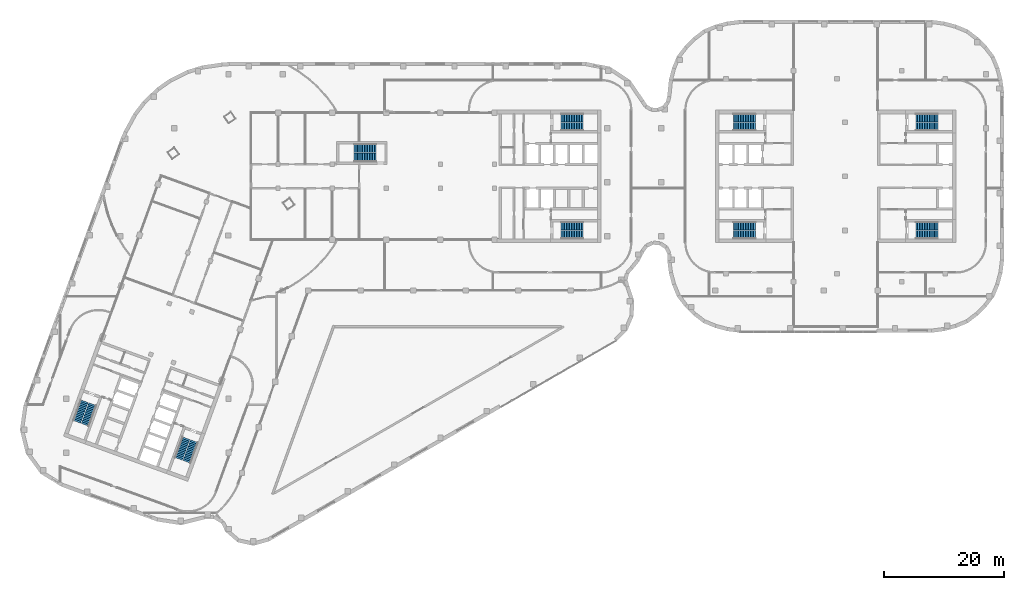
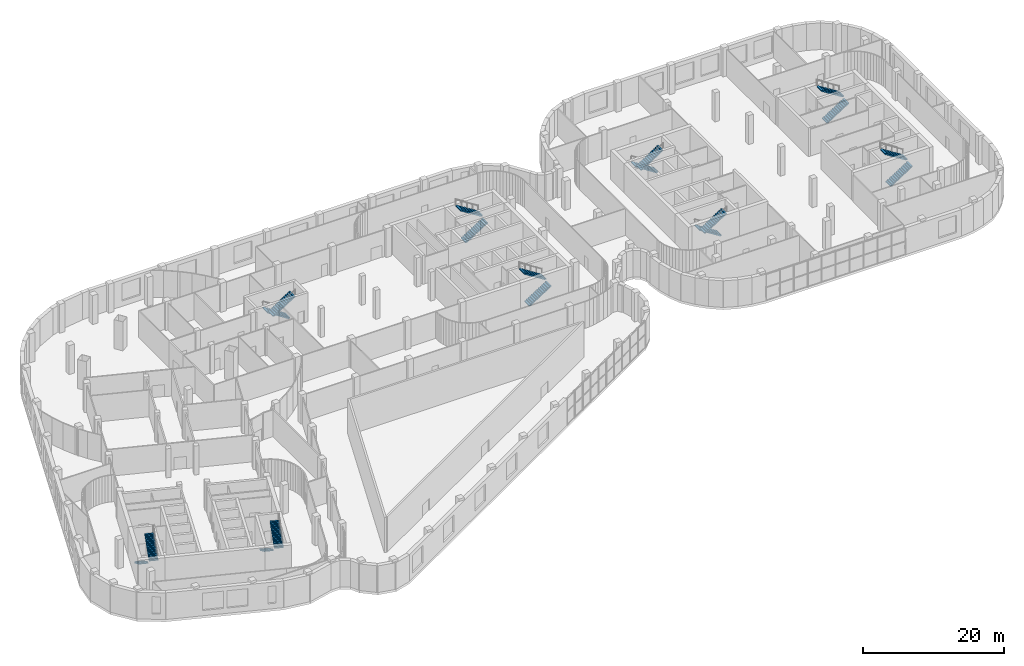
# One storey, part 22 of 24: 18 stair flights, 9 elements without a shape of their own.
"""IFC4 building model written with IfcOpenShell, lengths in metres."""

from ifc_helpers import new_model, si_unit, direction, frame, origin, place, context, subcontext, project, spatial, polyline, outline, extrude, material, type_object, element, aggregate, save


model = new_model("IFC4")

# Units and contexts
model_context = context("Model", 3, precision=1e-05, world=origin(), true_north=direction((0.0, 1.0)))
body_context = subcontext(model_context, "Body", "Model", "MODEL_VIEW")
ifc_project = project(units=[si_unit("LENGTHUNIT", "METRE"), si_unit("AREAUNIT", "SQUARE_METRE"), si_unit("VOLUMEUNIT", "CUBIC_METRE"), si_unit("PLANEANGLEUNIT", "RADIAN"), si_unit("MASSUNIT", "GRAM", prefix="KILO")], contexts=[model_context])

# Site, building, storey
site_placement = place(None, origin())
site = spatial("IfcSite", under=ifc_project, at=site_placement, CompositionType="ELEMENT")
building_placement = place(site_placement, origin())
building = spatial("IfcBuilding", under=site, at=building_placement, Name="Skarvind Civic Tower", CompositionType="ELEMENT")
storey_placement = place(building_placement, frame((0.0, 0.0, 12.5)))
storey = spatial("IfcBuildingStorey", under=building, at=storey_placement, Name="L02", CompositionType="ELEMENT", Elevation=12.5)

# Stair, stair flights
ifc_material = material(Name="Concrete C40/50", Category="concrete")
stair_type_1 = type_object("IfcStairType", Name="Exit stair 1450, half-turn, concrete", PredefinedType="HALF_TURN_STAIR", material=ifc_material)
stair_1_placement = place(storey_placement, origin())
stair_1 = element("IfcStair", 1, at=stair_1_placement, inside=storey, type_object=stair_type_1, Name="Exit stair CM", PredefinedType="HALF_TURN_STAIR")
stair_flight_type_1 = type_object("IfcStairFlightType", Name="Stair flight 1450, concrete", PredefinedType="STRAIGHT", material=ifc_material)
stair_flight_1_placement = place(storey_placement, frame((70.550048828125, 132.675048828125, 0.0), z_axis=(0.0, 0.0, 1.0), x_axis=(-1.0, 0.0, 0.0)))
stair_flight_1 = element("IfcStairFlight", 2, at=stair_flight_1_placement, type_object=stair_flight_type_1, Name="ST-CM flight 1", NumberOfRisers=14, NumberOfTreads=13, PredefinedType="STRAIGHT", RiserHeight=0.178571429, TreadLength=0.28, context=body_context, shape_type="SweptSolid", body=[
    extrude(outline(polyline([(0.0, 0.0), (0.0, 0.178466796875), (0.280029296875, 0.178466796875), (0.280029296875, 0.357177734375), (0.56005859375, 0.357177734375), (0.56005859375, 0.53564453125), (0.840087890625, 0.53564453125), (0.840087890625, 0.71435546875), (1.1201171875, 0.71435546875), (1.1201171875, 0.892822265625), (1.39990234375, 0.892822265625), (1.39990234375, 1.071533203125), (1.679931640625, 1.071533203125), (1.679931640625, 1.25), (1.9599609375, 1.25), (1.9599609375, 1.428466796875), (2.239990234375, 1.428466796875), (2.239990234375, 1.607177734375), (2.52001953125, 1.607177734375), (2.52001953125, 1.78564453125), (2.800048828125, 1.78564453125), (2.800048828125, 1.96435546875), (3.080078125, 1.96435546875), (3.080078125, 2.142822265625), (3.360107421875, 2.142822265625), (3.360107421875, 2.321533203125), (3.639892578125, 2.321533203125), (3.639892578125, 2.5), (3.639892578125, 2.1435546875), (0.27880859375, 0.0), (0.0, 0.0)])), frame((0.0, 0.72509765625, 0.0), z_axis=(0.0, -1.0, 0.0), x_axis=(1.0, 0.0, 0.0)), (0.0, 0.0, 1.0), 1.449951171875),
])
stair_flight_2_placement = place(storey_placement, frame((66.909912109375, 131.125, 2.5), z_axis=(0.0, 0.0, 1.0), x_axis=(1.0, 0.0, 0.0)))
stair_flight_2 = element("IfcStairFlight", 3, at=stair_flight_2_placement, type_object=stair_flight_type_1, Name="ST-CM flight 2", NumberOfRisers=14, NumberOfTreads=13, PredefinedType="STRAIGHT", RiserHeight=0.178571429, TreadLength=0.28, context=body_context, shape_type="SweptSolid", body=[
    extrude(outline(polyline([(0.0, 0.0), (0.0, 0.178466796875), (0.280029296875, 0.178466796875), (0.280029296875, 0.357177734375), (0.56005859375, 0.357177734375), (0.56005859375, 0.53564453125), (0.840087890625, 0.53564453125), (0.840087890625, 0.71435546875), (1.1201171875, 0.71435546875), (1.1201171875, 0.892822265625), (1.39990234375, 0.892822265625), (1.39990234375, 1.071533203125), (1.679931640625, 1.071533203125), (1.679931640625, 1.25), (1.9599609375, 1.25), (1.9599609375, 1.428466796875), (2.239990234375, 1.428466796875), (2.239990234375, 1.607177734375), (2.52001953125, 1.607177734375), (2.52001953125, 1.78564453125), (2.800048828125, 1.78564453125), (2.800048828125, 1.96435546875), (3.080078125, 1.96435546875), (3.080078125, 2.142822265625), (3.360107421875, 2.142822265625), (3.360107421875, 2.321533203125), (3.639892578125, 2.321533203125), (3.639892578125, 2.5), (3.639892578125, 2.1435546875), (0.27880859375, 0.0), (0.0, 0.0)])), frame((0.0, 0.72509765625, 0.0), z_axis=(0.0, -1.0, 0.0), x_axis=(1.0, 0.0, 0.0)), (0.0, 0.0, 1.0), 1.449951171875),
])
aggregate(stair_1, [stair_flight_1, stair_flight_2])

stair_type_2 = type_object("IfcStairType", Name="Exit stair, half-turn, concrete", PredefinedType="HALF_TURN_STAIR", material=ifc_material)
stair_2_placement = place(storey_placement, origin())
stair_2 = element("IfcStair", 4, at=stair_2_placement, inside=storey, type_object=stair_type_2, Name="Exit stair C1S", PredefinedType="HALF_TURN_STAIR")
stair_flight_type_2 = type_object("IfcStairFlightType", Name="Stair flight, concrete", PredefinedType="STRAIGHT", material=ifc_material)
stair_flight_3_placement = place(storey_placement, frame((101.35009765625, 136.27490234375, 0.0), z_axis=(0.0, 0.0, 1.0), x_axis=(1.0, 0.0, 0.0)))
stair_flight_3 = element("IfcStairFlight", 5, at=stair_flight_3_placement, type_object=stair_flight_type_2, Name="ST-C1S flight 1", NumberOfRisers=14, NumberOfTreads=13, PredefinedType="STRAIGHT", RiserHeight=0.178571429, TreadLength=0.28, context=body_context, shape_type="SweptSolid", body=[
    extrude(outline(polyline([(0.0, 0.0), (0.0, 0.178466796875), (0.280029296875, 0.178466796875), (0.280029296875, 0.357177734375), (0.56005859375, 0.357177734375), (0.56005859375, 0.53564453125), (0.840087890625, 0.53564453125), (0.840087890625, 0.71435546875), (1.1201171875, 0.71435546875), (1.1201171875, 0.892822265625), (1.39990234375, 0.892822265625), (1.39990234375, 1.071533203125), (1.679931640625, 1.071533203125), (1.679931640625, 1.25), (1.9599609375, 1.25), (1.9599609375, 1.428466796875), (2.239990234375, 1.428466796875), (2.239990234375, 1.607177734375), (2.52001953125, 1.607177734375), (2.52001953125, 1.78564453125), (2.800048828125, 1.78564453125), (2.800048828125, 1.96435546875), (3.080078125, 1.96435546875), (3.080078125, 2.142822265625), (3.360107421875, 2.142822265625), (3.360107421875, 2.321533203125), (3.639892578125, 2.321533203125), (3.639892578125, 2.5), (3.639892578125, 2.1435546875), (0.27880859375, 0.0), (0.0, 0.0)])), frame((0.0, 0.675048828125, 0.0), z_axis=(0.0, -1.0, 0.0), x_axis=(1.0, 0.0, 0.0)), (0.0, 0.0, 1.0), 1.35009765625),
])
stair_flight_4_placement = place(storey_placement, frame((104.989990234375, 137.72509765625, 2.5), z_axis=(0.0, 0.0, 1.0), x_axis=(-1.0, 0.0, 0.0)))
stair_flight_4 = element("IfcStairFlight", 6, at=stair_flight_4_placement, type_object=stair_flight_type_2, Name="ST-C1S flight 2", NumberOfRisers=14, NumberOfTreads=13, PredefinedType="STRAIGHT", RiserHeight=0.178571429, TreadLength=0.28, context=body_context, shape_type="SweptSolid", body=[
    extrude(outline(polyline([(0.0, 0.0), (0.0, 0.178466796875), (0.280029296875, 0.178466796875), (0.280029296875, 0.357177734375), (0.56005859375, 0.357177734375), (0.56005859375, 0.53564453125), (0.840087890625, 0.53564453125), (0.840087890625, 0.71435546875), (1.1201171875, 0.71435546875), (1.1201171875, 0.892822265625), (1.39990234375, 0.892822265625), (1.39990234375, 1.071533203125), (1.679931640625, 1.071533203125), (1.679931640625, 1.25), (1.9599609375, 1.25), (1.9599609375, 1.428466796875), (2.239990234375, 1.428466796875), (2.239990234375, 1.607177734375), (2.52001953125, 1.607177734375), (2.52001953125, 1.78564453125), (2.800048828125, 1.78564453125), (2.800048828125, 1.96435546875), (3.080078125, 1.96435546875), (3.080078125, 2.142822265625), (3.360107421875, 2.142822265625), (3.360107421875, 2.321533203125), (3.639892578125, 2.321533203125), (3.639892578125, 2.5), (3.639892578125, 2.1435546875), (0.27880859375, 0.0), (0.0, 0.0)])), frame((0.0, 0.675048828125, 0.0), z_axis=(0.0, -1.0, 0.0), x_axis=(1.0, 0.0, 0.0)), (0.0, 0.0, 1.0), 1.35009765625),
])
aggregate(stair_2, [stair_flight_3, stair_flight_4])

stair_3_placement = place(storey_placement, origin())
stair_3 = element("IfcStair", 7, at=stair_3_placement, inside=storey, type_object=stair_type_2, Name="Exit stair C1N", PredefinedType="HALF_TURN_STAIR")
stair_flight_5_placement = place(storey_placement, frame((101.35009765625, 118.27490234375, 0.0), z_axis=(0.0, 0.0, 1.0), x_axis=(1.0, 0.0, 0.0)))
stair_flight_5 = element("IfcStairFlight", 8, at=stair_flight_5_placement, type_object=stair_flight_type_2, Name="ST-C1N flight 1", NumberOfRisers=14, NumberOfTreads=13, PredefinedType="STRAIGHT", RiserHeight=0.178571429, TreadLength=0.28, context=body_context, shape_type="SweptSolid", body=[
    extrude(outline(polyline([(0.0, 0.0), (0.0, 0.178466796875), (0.280029296875, 0.178466796875), (0.280029296875, 0.357177734375), (0.56005859375, 0.357177734375), (0.56005859375, 0.53564453125), (0.840087890625, 0.53564453125), (0.840087890625, 0.71435546875), (1.1201171875, 0.71435546875), (1.1201171875, 0.892822265625), (1.39990234375, 0.892822265625), (1.39990234375, 1.071533203125), (1.679931640625, 1.071533203125), (1.679931640625, 1.25), (1.9599609375, 1.25), (1.9599609375, 1.428466796875), (2.239990234375, 1.428466796875), (2.239990234375, 1.607177734375), (2.52001953125, 1.607177734375), (2.52001953125, 1.78564453125), (2.800048828125, 1.78564453125), (2.800048828125, 1.96435546875), (3.080078125, 1.96435546875), (3.080078125, 2.142822265625), (3.360107421875, 2.142822265625), (3.360107421875, 2.321533203125), (3.639892578125, 2.321533203125), (3.639892578125, 2.5), (3.639892578125, 2.1435546875), (0.27880859375, 0.0), (0.0, 0.0)])), frame((0.0, 0.675048828125, 0.0), z_axis=(0.0, -1.0, 0.0), x_axis=(1.0, 0.0, 0.0)), (0.0, 0.0, 1.0), 1.35009765625),
])
stair_flight_6_placement = place(storey_placement, frame((104.989990234375, 119.72509765625, 2.5), z_axis=(0.0, 0.0, 1.0), x_axis=(-1.0, 0.0, 0.0)))
stair_flight_6 = element("IfcStairFlight", 9, at=stair_flight_6_placement, type_object=stair_flight_type_2, Name="ST-C1N flight 2", NumberOfRisers=14, NumberOfTreads=13, PredefinedType="STRAIGHT", RiserHeight=0.178571429, TreadLength=0.28, context=body_context, shape_type="SweptSolid", body=[
    extrude(outline(polyline([(0.0, 0.0), (0.0, 0.178466796875), (0.280029296875, 0.178466796875), (0.280029296875, 0.357177734375), (0.56005859375, 0.357177734375), (0.56005859375, 0.53564453125), (0.840087890625, 0.53564453125), (0.840087890625, 0.71435546875), (1.1201171875, 0.71435546875), (1.1201171875, 0.892822265625), (1.39990234375, 0.892822265625), (1.39990234375, 1.071533203125), (1.679931640625, 1.071533203125), (1.679931640625, 1.25), (1.9599609375, 1.25), (1.9599609375, 1.428466796875), (2.239990234375, 1.428466796875), (2.239990234375, 1.607177734375), (2.52001953125, 1.607177734375), (2.52001953125, 1.78564453125), (2.800048828125, 1.78564453125), (2.800048828125, 1.96435546875), (3.080078125, 1.96435546875), (3.080078125, 2.142822265625), (3.360107421875, 2.142822265625), (3.360107421875, 2.321533203125), (3.639892578125, 2.321533203125), (3.639892578125, 2.5), (3.639892578125, 2.1435546875), (0.27880859375, 0.0), (0.0, 0.0)])), frame((0.0, 0.675048828125, 0.0), z_axis=(0.0, -1.0, 0.0), x_axis=(1.0, 0.0, 0.0)), (0.0, 0.0, 1.0), 1.35009765625),
])
aggregate(stair_3, [stair_flight_5, stair_flight_6])

stair_4_placement = place(storey_placement, origin())
stair_4 = element("IfcStair", 10, at=stair_4_placement, inside=storey, type_object=stair_type_2, Name="Exit stair C2S", PredefinedType="HALF_TURN_STAIR")
stair_flight_7_placement = place(storey_placement, frame((38.949462890625, 84.43408203125, 0.0), z_axis=(0.0, 0.0, 1.0), x_axis=(-0.342020143326, -0.939692620786, 0.0)))
stair_flight_7 = element("IfcStairFlight", 11, at=stair_flight_7_placement, type_object=stair_flight_type_2, Name="ST-C2S flight 1", NumberOfRisers=14, NumberOfTreads=13, PredefinedType="STRAIGHT", RiserHeight=0.178571429, TreadLength=0.28, context=body_context, shape_type="SweptSolid", body=[
    extrude(outline(polyline([(0.0, 0.0), (0.0, 0.178466796875), (0.280029296875, 0.178466796875), (0.280029296875, 0.357177734375), (0.56005859375, 0.357177734375), (0.56005859375, 0.53564453125), (0.840087890625, 0.53564453125), (0.840087890625, 0.71435546875), (1.1201171875, 0.71435546875), (1.1201171875, 0.892822265625), (1.39990234375, 0.892822265625), (1.39990234375, 1.071533203125), (1.679931640625, 1.071533203125), (1.679931640625, 1.25), (1.9599609375, 1.25), (1.9599609375, 1.428466796875), (2.239990234375, 1.428466796875), (2.239990234375, 1.607177734375), (2.52001953125, 1.607177734375), (2.52001953125, 1.78564453125), (2.800048828125, 1.78564453125), (2.800048828125, 1.96435546875), (3.080078125, 1.96435546875), (3.080078125, 2.142822265625), (3.360107421875, 2.142822265625), (3.360107421875, 2.321533203125), (3.639892578125, 2.321533203125), (3.639892578125, 2.5), (3.639892578125, 2.1435546875), (0.27880859375, 0.0), (0.0, 0.0)])), frame((0.0, 0.675048828125, 0.0), z_axis=(0.0, -1.0, 0.0), x_axis=(1.0, 0.0, 0.0)), (0.0, 0.0, 1.0), 1.35009765625),
])
stair_flight_8_placement = place(storey_placement, frame((39.06689453125, 80.517578125, 2.5), z_axis=(0.0, 0.0, 1.0), x_axis=(0.342020143326, 0.939692620786, 0.0)))
stair_flight_8 = element("IfcStairFlight", 12, at=stair_flight_8_placement, type_object=stair_flight_type_2, Name="ST-C2S flight 2", NumberOfRisers=14, NumberOfTreads=13, PredefinedType="STRAIGHT", RiserHeight=0.178571429, TreadLength=0.28, context=body_context, shape_type="SweptSolid", body=[
    extrude(outline(polyline([(0.0, 0.0), (0.0, 0.178466796875), (0.280029296875, 0.178466796875), (0.280029296875, 0.357177734375), (0.56005859375, 0.357177734375), (0.56005859375, 0.53564453125), (0.840087890625, 0.53564453125), (0.840087890625, 0.71435546875), (1.1201171875, 0.71435546875), (1.1201171875, 0.892822265625), (1.39990234375, 0.892822265625), (1.39990234375, 1.071533203125), (1.679931640625, 1.071533203125), (1.679931640625, 1.25), (1.9599609375, 1.25), (1.9599609375, 1.428466796875), (2.239990234375, 1.428466796875), (2.239990234375, 1.607177734375), (2.52001953125, 1.607177734375), (2.52001953125, 1.78564453125), (2.800048828125, 1.78564453125), (2.800048828125, 1.96435546875), (3.080078125, 1.96435546875), (3.080078125, 2.142822265625), (3.360107421875, 2.142822265625), (3.360107421875, 2.321533203125), (3.639892578125, 2.321533203125), (3.639892578125, 2.5), (3.639892578125, 2.1435546875), (0.27880859375, 0.0), (0.0, 0.0)])), frame((0.0, 0.675048828125, 0.0), z_axis=(0.0, -1.0, 0.0), x_axis=(1.0, 0.0, 0.0)), (0.0, 0.0, 1.0), 1.35009765625),
])
aggregate(stair_4, [stair_flight_7, stair_flight_8])

stair_5_placement = place(storey_placement, origin())
stair_5 = element("IfcStair", 13, at=stair_5_placement, inside=storey, type_object=stair_type_2, Name="Exit stair C2N", PredefinedType="HALF_TURN_STAIR")
stair_flight_9_placement = place(storey_placement, frame((22.034912109375, 90.590576171875, 0.0), z_axis=(0.0, 0.0, 1.0), x_axis=(-0.342020143326, -0.939692620786, 0.0)))
stair_flight_9 = element("IfcStairFlight", 14, at=stair_flight_9_placement, type_object=stair_flight_type_2, Name="ST-C2N flight 1", NumberOfRisers=14, NumberOfTreads=13, PredefinedType="STRAIGHT", RiserHeight=0.178571429, TreadLength=0.28, context=body_context, shape_type="SweptSolid", body=[
    extrude(outline(polyline([(0.0, 0.0), (0.0, 0.178466796875), (0.280029296875, 0.178466796875), (0.280029296875, 0.357177734375), (0.56005859375, 0.357177734375), (0.56005859375, 0.53564453125), (0.840087890625, 0.53564453125), (0.840087890625, 0.71435546875), (1.1201171875, 0.71435546875), (1.1201171875, 0.892822265625), (1.39990234375, 0.892822265625), (1.39990234375, 1.071533203125), (1.679931640625, 1.071533203125), (1.679931640625, 1.25), (1.9599609375, 1.25), (1.9599609375, 1.428466796875), (2.239990234375, 1.428466796875), (2.239990234375, 1.607177734375), (2.52001953125, 1.607177734375), (2.52001953125, 1.78564453125), (2.800048828125, 1.78564453125), (2.800048828125, 1.96435546875), (3.080078125, 1.96435546875), (3.080078125, 2.142822265625), (3.360107421875, 2.142822265625), (3.360107421875, 2.321533203125), (3.639892578125, 2.321533203125), (3.639892578125, 2.5), (3.639892578125, 2.1435546875), (0.27880859375, 0.0), (0.0, 0.0)])), frame((0.0, 0.675048828125, 0.0), z_axis=(0.0, -1.0, 0.0), x_axis=(1.0, 0.0, 0.0)), (0.0, 0.0, 1.0), 1.35009765625),
])
stair_flight_10_placement = place(storey_placement, frame((22.152587890625, 86.674072265625, 2.5), z_axis=(0.0, 0.0, 1.0), x_axis=(0.342020143326, 0.939692620786, 0.0)))
stair_flight_10 = element("IfcStairFlight", 15, at=stair_flight_10_placement, type_object=stair_flight_type_2, Name="ST-C2N flight 2", NumberOfRisers=14, NumberOfTreads=13, PredefinedType="STRAIGHT", RiserHeight=0.178571429, TreadLength=0.28, context=body_context, shape_type="SweptSolid", body=[
    extrude(outline(polyline([(0.0, 0.0), (0.0, 0.178466796875), (0.280029296875, 0.178466796875), (0.280029296875, 0.357177734375), (0.56005859375, 0.357177734375), (0.56005859375, 0.53564453125), (0.840087890625, 0.53564453125), (0.840087890625, 0.71435546875), (1.1201171875, 0.71435546875), (1.1201171875, 0.892822265625), (1.39990234375, 0.892822265625), (1.39990234375, 1.071533203125), (1.679931640625, 1.071533203125), (1.679931640625, 1.25), (1.9599609375, 1.25), (1.9599609375, 1.428466796875), (2.239990234375, 1.428466796875), (2.239990234375, 1.607177734375), (2.52001953125, 1.607177734375), (2.52001953125, 1.78564453125), (2.800048828125, 1.78564453125), (2.800048828125, 1.96435546875), (3.080078125, 1.96435546875), (3.080078125, 2.142822265625), (3.360107421875, 2.142822265625), (3.360107421875, 2.321533203125), (3.639892578125, 2.321533203125), (3.639892578125, 2.5), (3.639892578125, 2.1435546875), (0.27880859375, 0.0), (0.0, 0.0)])), frame((0.0, 0.675048828125, 0.0), z_axis=(0.0, -1.0, 0.0), x_axis=(1.0, 0.0, 0.0)), (0.0, 0.0, 1.0), 1.35009765625),
])
aggregate(stair_5, [stair_flight_9, stair_flight_10])

stair_6_placement = place(storey_placement, origin())
stair_6 = element("IfcStair", 16, at=stair_6_placement, inside=storey, type_object=stair_type_2, Name="Exit stair CAS", PredefinedType="HALF_TURN_STAIR")
stair_flight_11_placement = place(storey_placement, frame((133.64990234375, 119.72509765625, 0.0), z_axis=(0.0, 0.0, 1.0), x_axis=(-1.0, 0.0, 0.0)))
stair_flight_11 = element("IfcStairFlight", 17, at=stair_flight_11_placement, type_object=stair_flight_type_2, Name="ST-CAS flight 1", NumberOfRisers=14, NumberOfTreads=13, PredefinedType="STRAIGHT", RiserHeight=0.178571429, TreadLength=0.28, context=body_context, shape_type="SweptSolid", body=[
    extrude(outline(polyline([(0.0, 0.0), (0.0, 0.178466796875), (0.280029296875, 0.178466796875), (0.280029296875, 0.357177734375), (0.56005859375, 0.357177734375), (0.56005859375, 0.53564453125), (0.840087890625, 0.53564453125), (0.840087890625, 0.71435546875), (1.1201171875, 0.71435546875), (1.1201171875, 0.892822265625), (1.39990234375, 0.892822265625), (1.39990234375, 1.071533203125), (1.679931640625, 1.071533203125), (1.679931640625, 1.25), (1.9599609375, 1.25), (1.9599609375, 1.428466796875), (2.239990234375, 1.428466796875), (2.239990234375, 1.607177734375), (2.52001953125, 1.607177734375), (2.52001953125, 1.78564453125), (2.800048828125, 1.78564453125), (2.800048828125, 1.96435546875), (3.080078125, 1.96435546875), (3.080078125, 2.142822265625), (3.360107421875, 2.142822265625), (3.360107421875, 2.321533203125), (3.639892578125, 2.321533203125), (3.639892578125, 2.5), (3.639892578125, 2.1435546875), (0.27880859375, 0.0), (0.0, 0.0)])), frame((0.0, 0.675048828125, 0.0), z_axis=(0.0, -1.0, 0.0), x_axis=(1.0, 0.0, 0.0)), (0.0, 0.0, 1.0), 1.35009765625),
])
stair_flight_12_placement = place(storey_placement, frame((130.010009765625, 118.27490234375, 2.5), z_axis=(0.0, 0.0, 1.0), x_axis=(1.0, 0.0, 0.0)))
stair_flight_12 = element("IfcStairFlight", 18, at=stair_flight_12_placement, type_object=stair_flight_type_2, Name="ST-CAS flight 2", NumberOfRisers=14, NumberOfTreads=13, PredefinedType="STRAIGHT", RiserHeight=0.178571429, TreadLength=0.28, context=body_context, shape_type="SweptSolid", body=[
    extrude(outline(polyline([(0.0, 0.0), (0.0, 0.178466796875), (0.280029296875, 0.178466796875), (0.280029296875, 0.357177734375), (0.56005859375, 0.357177734375), (0.56005859375, 0.53564453125), (0.840087890625, 0.53564453125), (0.840087890625, 0.71435546875), (1.1201171875, 0.71435546875), (1.1201171875, 0.892822265625), (1.39990234375, 0.892822265625), (1.39990234375, 1.071533203125), (1.679931640625, 1.071533203125), (1.679931640625, 1.25), (1.9599609375, 1.25), (1.9599609375, 1.428466796875), (2.239990234375, 1.428466796875), (2.239990234375, 1.607177734375), (2.52001953125, 1.607177734375), (2.52001953125, 1.78564453125), (2.800048828125, 1.78564453125), (2.800048828125, 1.96435546875), (3.080078125, 1.96435546875), (3.080078125, 2.142822265625), (3.360107421875, 2.142822265625), (3.360107421875, 2.321533203125), (3.639892578125, 2.321533203125), (3.639892578125, 2.5), (3.639892578125, 2.1435546875), (0.27880859375, 0.0), (0.0, 0.0)])), frame((0.0, 0.675048828125, 0.0), z_axis=(0.0, -1.0, 0.0), x_axis=(1.0, 0.0, 0.0)), (0.0, 0.0, 1.0), 1.35009765625),
])
aggregate(stair_6, [stair_flight_11, stair_flight_12])

stair_7_placement = place(storey_placement, origin())
stair_7 = element("IfcStair", 19, at=stair_7_placement, inside=storey, type_object=stair_type_2, Name="Exit stair CAN", PredefinedType="HALF_TURN_STAIR")
stair_flight_13_placement = place(storey_placement, frame((133.64990234375, 137.72509765625, 0.0), z_axis=(0.0, 0.0, 1.0), x_axis=(-1.0, 0.0, 0.0)))
stair_flight_13 = element("IfcStairFlight", 20, at=stair_flight_13_placement, type_object=stair_flight_type_2, Name="ST-CAN flight 1", NumberOfRisers=14, NumberOfTreads=13, PredefinedType="STRAIGHT", RiserHeight=0.178571429, TreadLength=0.28, context=body_context, shape_type="SweptSolid", body=[
    extrude(outline(polyline([(0.0, 0.0), (0.0, 0.178466796875), (0.280029296875, 0.178466796875), (0.280029296875, 0.357177734375), (0.56005859375, 0.357177734375), (0.56005859375, 0.53564453125), (0.840087890625, 0.53564453125), (0.840087890625, 0.71435546875), (1.1201171875, 0.71435546875), (1.1201171875, 0.892822265625), (1.39990234375, 0.892822265625), (1.39990234375, 1.071533203125), (1.679931640625, 1.071533203125), (1.679931640625, 1.25), (1.9599609375, 1.25), (1.9599609375, 1.428466796875), (2.239990234375, 1.428466796875), (2.239990234375, 1.607177734375), (2.52001953125, 1.607177734375), (2.52001953125, 1.78564453125), (2.800048828125, 1.78564453125), (2.800048828125, 1.96435546875), (3.080078125, 1.96435546875), (3.080078125, 2.142822265625), (3.360107421875, 2.142822265625), (3.360107421875, 2.321533203125), (3.639892578125, 2.321533203125), (3.639892578125, 2.5), (3.639892578125, 2.1435546875), (0.27880859375, 0.0), (0.0, 0.0)])), frame((0.0, 0.675048828125, 0.0), z_axis=(0.0, -1.0, 0.0), x_axis=(1.0, 0.0, 0.0)), (0.0, 0.0, 1.0), 1.35009765625),
])
stair_flight_14_placement = place(storey_placement, frame((130.010009765625, 136.27490234375, 2.5), z_axis=(0.0, 0.0, 1.0), x_axis=(1.0, 0.0, 0.0)))
stair_flight_14 = element("IfcStairFlight", 21, at=stair_flight_14_placement, type_object=stair_flight_type_2, Name="ST-CAN flight 2", NumberOfRisers=14, NumberOfTreads=13, PredefinedType="STRAIGHT", RiserHeight=0.178571429, TreadLength=0.28, context=body_context, shape_type="SweptSolid", body=[
    extrude(outline(polyline([(0.0, 0.0), (0.0, 0.178466796875), (0.280029296875, 0.178466796875), (0.280029296875, 0.357177734375), (0.56005859375, 0.357177734375), (0.56005859375, 0.53564453125), (0.840087890625, 0.53564453125), (0.840087890625, 0.71435546875), (1.1201171875, 0.71435546875), (1.1201171875, 0.892822265625), (1.39990234375, 0.892822265625), (1.39990234375, 1.071533203125), (1.679931640625, 1.071533203125), (1.679931640625, 1.25), (1.9599609375, 1.25), (1.9599609375, 1.428466796875), (2.239990234375, 1.428466796875), (2.239990234375, 1.607177734375), (2.52001953125, 1.607177734375), (2.52001953125, 1.78564453125), (2.800048828125, 1.78564453125), (2.800048828125, 1.96435546875), (3.080078125, 1.96435546875), (3.080078125, 2.142822265625), (3.360107421875, 2.142822265625), (3.360107421875, 2.321533203125), (3.639892578125, 2.321533203125), (3.639892578125, 2.5), (3.639892578125, 2.1435546875), (0.27880859375, 0.0), (0.0, 0.0)])), frame((0.0, 0.675048828125, 0.0), z_axis=(0.0, -1.0, 0.0), x_axis=(1.0, 0.0, 0.0)), (0.0, 0.0, 1.0), 1.35009765625),
])
aggregate(stair_7, [stair_flight_13, stair_flight_14])

stair_8_placement = place(storey_placement, origin())
stair_8 = element("IfcStair", 22, at=stair_8_placement, inside=storey, type_object=stair_type_2, Name="Exit stair CBS", PredefinedType="HALF_TURN_STAIR")
stair_flight_15_placement = place(storey_placement, frame((160.35009765625, 136.27490234375, 0.0), z_axis=(0.0, 0.0, 1.0), x_axis=(1.0, 0.0, 0.0)))
stair_flight_15 = element("IfcStairFlight", 23, at=stair_flight_15_placement, type_object=stair_flight_type_2, Name="ST-CBS flight 1", NumberOfRisers=14, NumberOfTreads=13, PredefinedType="STRAIGHT", RiserHeight=0.178571429, TreadLength=0.28, context=body_context, shape_type="SweptSolid", body=[
    extrude(outline(polyline([(0.0, 0.0), (0.0, 0.178466796875), (0.280029296875, 0.178466796875), (0.280029296875, 0.357177734375), (0.56005859375, 0.357177734375), (0.56005859375, 0.53564453125), (0.840087890625, 0.53564453125), (0.840087890625, 0.71435546875), (1.1201171875, 0.71435546875), (1.1201171875, 0.892822265625), (1.39990234375, 0.892822265625), (1.39990234375, 1.071533203125), (1.679931640625, 1.071533203125), (1.679931640625, 1.25), (1.9599609375, 1.25), (1.9599609375, 1.428466796875), (2.239990234375, 1.428466796875), (2.239990234375, 1.607177734375), (2.52001953125, 1.607177734375), (2.52001953125, 1.78564453125), (2.800048828125, 1.78564453125), (2.800048828125, 1.96435546875), (3.080078125, 1.96435546875), (3.080078125, 2.142822265625), (3.360107421875, 2.142822265625), (3.360107421875, 2.321533203125), (3.639892578125, 2.321533203125), (3.639892578125, 2.5), (3.639892578125, 2.1435546875), (0.27880859375, 0.0), (0.0, 0.0)])), frame((0.0, 0.675048828125, 0.0), z_axis=(0.0, -1.0, 0.0), x_axis=(1.0, 0.0, 0.0)), (0.0, 0.0, 1.0), 1.35009765625),
])
stair_flight_16_placement = place(storey_placement, frame((163.989990234375, 137.72509765625, 2.5), z_axis=(0.0, 0.0, 1.0), x_axis=(-1.0, 0.0, 0.0)))
stair_flight_16 = element("IfcStairFlight", 24, at=stair_flight_16_placement, type_object=stair_flight_type_2, Name="ST-CBS flight 2", NumberOfRisers=14, NumberOfTreads=13, PredefinedType="STRAIGHT", RiserHeight=0.178571429, TreadLength=0.28, context=body_context, shape_type="SweptSolid", body=[
    extrude(outline(polyline([(0.0, 0.0), (0.0, 0.178466796875), (0.280029296875, 0.178466796875), (0.280029296875, 0.357177734375), (0.56005859375, 0.357177734375), (0.56005859375, 0.53564453125), (0.840087890625, 0.53564453125), (0.840087890625, 0.71435546875), (1.1201171875, 0.71435546875), (1.1201171875, 0.892822265625), (1.39990234375, 0.892822265625), (1.39990234375, 1.071533203125), (1.679931640625, 1.071533203125), (1.679931640625, 1.25), (1.9599609375, 1.25), (1.9599609375, 1.428466796875), (2.239990234375, 1.428466796875), (2.239990234375, 1.607177734375), (2.52001953125, 1.607177734375), (2.52001953125, 1.78564453125), (2.800048828125, 1.78564453125), (2.800048828125, 1.96435546875), (3.080078125, 1.96435546875), (3.080078125, 2.142822265625), (3.360107421875, 2.142822265625), (3.360107421875, 2.321533203125), (3.639892578125, 2.321533203125), (3.639892578125, 2.5), (3.639892578125, 2.1435546875), (0.27880859375, 0.0), (0.0, 0.0)])), frame((0.0, 0.675048828125, 0.0), z_axis=(0.0, -1.0, 0.0), x_axis=(1.0, 0.0, 0.0)), (0.0, 0.0, 1.0), 1.35009765625),
])
aggregate(stair_8, [stair_flight_15, stair_flight_16])

stair_9_placement = place(storey_placement, origin())
stair_9 = element("IfcStair", 25, at=stair_9_placement, inside=storey, type_object=stair_type_2, Name="Exit stair CBN", PredefinedType="HALF_TURN_STAIR")
stair_flight_17_placement = place(storey_placement, frame((160.35009765625, 118.27490234375, 0.0), z_axis=(0.0, 0.0, 1.0), x_axis=(1.0, 0.0, 0.0)))
stair_flight_17 = element("IfcStairFlight", 26, at=stair_flight_17_placement, type_object=stair_flight_type_2, Name="ST-CBN flight 1", NumberOfRisers=14, NumberOfTreads=13, PredefinedType="STRAIGHT", RiserHeight=0.178571429, TreadLength=0.28, context=body_context, shape_type="SweptSolid", body=[
    extrude(outline(polyline([(0.0, 0.0), (0.0, 0.178466796875), (0.280029296875, 0.178466796875), (0.280029296875, 0.357177734375), (0.56005859375, 0.357177734375), (0.56005859375, 0.53564453125), (0.840087890625, 0.53564453125), (0.840087890625, 0.71435546875), (1.1201171875, 0.71435546875), (1.1201171875, 0.892822265625), (1.39990234375, 0.892822265625), (1.39990234375, 1.071533203125), (1.679931640625, 1.071533203125), (1.679931640625, 1.25), (1.9599609375, 1.25), (1.9599609375, 1.428466796875), (2.239990234375, 1.428466796875), (2.239990234375, 1.607177734375), (2.52001953125, 1.607177734375), (2.52001953125, 1.78564453125), (2.800048828125, 1.78564453125), (2.800048828125, 1.96435546875), (3.080078125, 1.96435546875), (3.080078125, 2.142822265625), (3.360107421875, 2.142822265625), (3.360107421875, 2.321533203125), (3.639892578125, 2.321533203125), (3.639892578125, 2.5), (3.639892578125, 2.1435546875), (0.27880859375, 0.0), (0.0, 0.0)])), frame((0.0, 0.675048828125, 0.0), z_axis=(0.0, -1.0, 0.0), x_axis=(1.0, 0.0, 0.0)), (0.0, 0.0, 1.0), 1.35009765625),
])
stair_flight_18_placement = place(storey_placement, frame((163.989990234375, 119.72509765625, 2.5), z_axis=(0.0, 0.0, 1.0), x_axis=(-1.0, 0.0, 0.0)))
stair_flight_18 = element("IfcStairFlight", 27, at=stair_flight_18_placement, type_object=stair_flight_type_2, Name="ST-CBN flight 2", NumberOfRisers=14, NumberOfTreads=13, PredefinedType="STRAIGHT", RiserHeight=0.178571429, TreadLength=0.28, context=body_context, shape_type="SweptSolid", body=[
    extrude(outline(polyline([(0.0, 0.0), (0.0, 0.178466796875), (0.280029296875, 0.178466796875), (0.280029296875, 0.357177734375), (0.56005859375, 0.357177734375), (0.56005859375, 0.53564453125), (0.840087890625, 0.53564453125), (0.840087890625, 0.71435546875), (1.1201171875, 0.71435546875), (1.1201171875, 0.892822265625), (1.39990234375, 0.892822265625), (1.39990234375, 1.071533203125), (1.679931640625, 1.071533203125), (1.679931640625, 1.25), (1.9599609375, 1.25), (1.9599609375, 1.428466796875), (2.239990234375, 1.428466796875), (2.239990234375, 1.607177734375), (2.52001953125, 1.607177734375), (2.52001953125, 1.78564453125), (2.800048828125, 1.78564453125), (2.800048828125, 1.96435546875), (3.080078125, 1.96435546875), (3.080078125, 2.142822265625), (3.360107421875, 2.142822265625), (3.360107421875, 2.321533203125), (3.639892578125, 2.321533203125), (3.639892578125, 2.5), (3.639892578125, 2.1435546875), (0.27880859375, 0.0), (0.0, 0.0)])), frame((0.0, 0.675048828125, 0.0), z_axis=(0.0, -1.0, 0.0), x_axis=(1.0, 0.0, 0.0)), (0.0, 0.0, 1.0), 1.35009765625),
])
aggregate(stair_9, [stair_flight_17, stair_flight_18])

save(model, "model.ifc")
